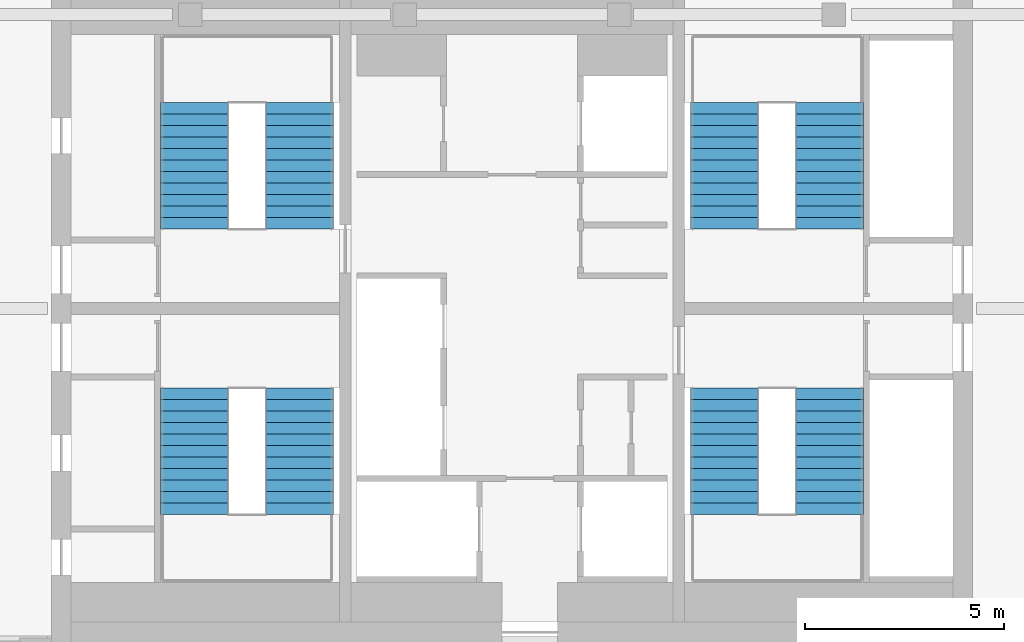
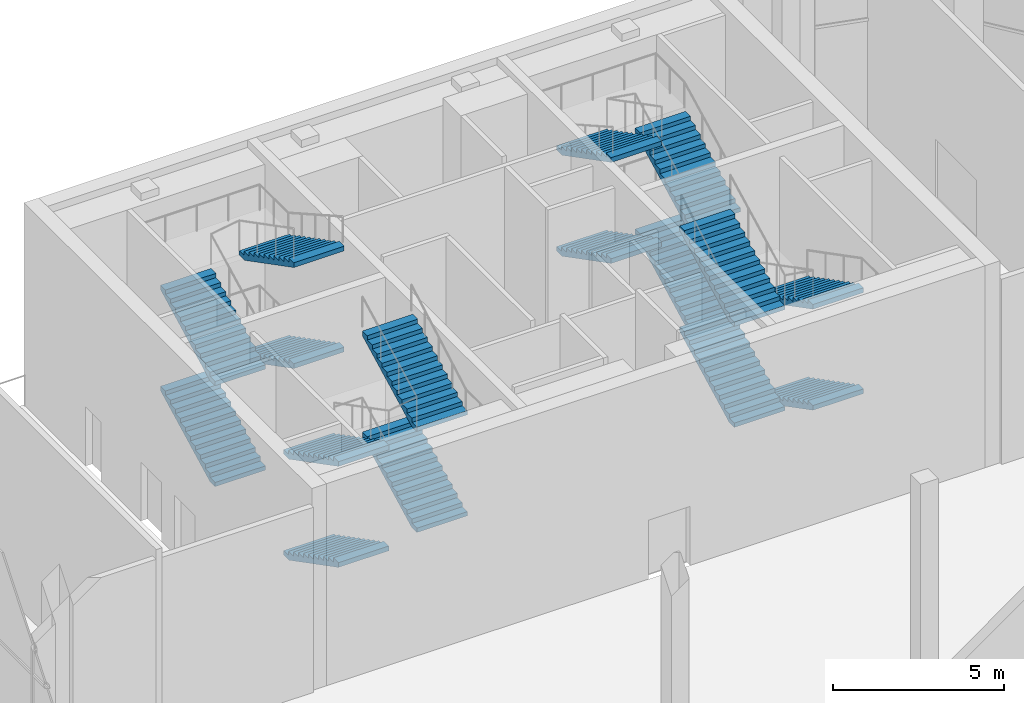
# One storey, part 23 of 25: 16 stair flights, 4 elements without a shape of their own.
"""IFC4 building model written with IfcOpenShell, lengths in metres."""

import ifcopenshell
import ifcopenshell.guid

model = None  # the IFC model being written
_history = None  # IfcOwnerHistory: only IFC2X3 demands one
_inside = {}  # id of a spatial element -> (the spatial element, [elements in it])
_under = {}  # id of a project, library or spatial element -> (it, [spatial elements below it])
_declared = {}  # id of a project -> (the project, [libraries it declares])
_typed = {}  # id of a type object -> (the type object, [elements of that type])
_made_of = {}  # id of a material, layer set ... -> (it, [elements and type objects made of it])


def new_model(schema):
    """Start an empty IFC model of exactly this schema.

    Asked for "IFC4X3", IfcOpenShell would pick the latest addendum, in which some entities
    have other attributes; the version numbers below select the first issue.
    IFC2X3 requires an IfcOwnerHistory on every rooted entity: one is made here for all.
    """
    global model, _history
    if schema == "IFC4X3":
        model = ifcopenshell.file(schema_version=(4, 3, 0, 0))
    else:
        model = ifcopenshell.file(schema=schema)
    _inside.clear()
    _under.clear()
    _declared.clear()
    _typed.clear()
    _made_of.clear()
    _history = None
    if model.schema == "IFC2X3":
        org = make("IfcOrganization", Name="unknown")
        user = make(
            "IfcPersonAndOrganization",
            ThePerson=make("IfcPerson", FamilyName="unknown"),
            TheOrganization=org,
        )
        app = make(
            "IfcApplication",
            ApplicationDeveloper=org,
            Version="unknown",
            ApplicationFullName="unknown",
            ApplicationIdentifier="unknown",
        )
        _history = make(
            "IfcOwnerHistory",
            OwningUser=user,
            OwningApplication=app,
            ChangeAction="ADDED",
            CreationDate=0,
        )
    return model


def make(cls, **values):
    """One entity of the class cls with the attributes given. An attribute that is None is left unset."""
    return model.create_entity(
        cls, **{name: value for name, value in values.items() if value is not None}
    )


def rooted(cls, **values):
    """An entity with a GlobalId (a new one), such as an element, a storey or a relation."""
    return make(cls, GlobalId=ifcopenshell.guid.new(), OwnerHistory=_history, **values)


def si_unit(unit_type, name, prefix=None):
    """IfcSIUnit, for example si_unit("LENGTHUNIT", "METRE", prefix="MILLI")."""
    return make("IfcSIUnit", UnitType=unit_type, Prefix=prefix, Name=name)


def assignment(units):
    """IfcUnitAssignment: the units of a project."""
    return None if units is None else make("IfcUnitAssignment", Units=units)


def point(xyz):
    """IfcCartesianPoint."""
    return None if xyz is None else make("IfcCartesianPoint", Coordinates=xyz)


def direction(xyz):
    """IfcDirection."""
    return None if xyz is None else make("IfcDirection", DirectionRatios=xyz)


def frame(location, z_axis=None, x_axis=None):
    """IfcAxis2Placement3D, a coordinate frame: its origin and axes. An axis left out is left unset."""
    return make(
        "IfcAxis2Placement3D",
        Location=point(location),
        Axis=direction(z_axis),
        RefDirection=direction(x_axis),
    )


def origin():
    """The frame at (0, 0, 0) with its axes left unset."""
    return frame((0.0, 0.0, 0.0))


def place(relative_to, where):
    """IfcLocalPlacement: puts the frame where relative to a parent placement (None: the world)."""
    return make(
        "IfcLocalPlacement", PlacementRelTo=relative_to, RelativePlacement=where
    )


def context(
    kind, dimensions, precision=None, world=None, true_north=None, identifier=None
):
    """IfcGeometricRepresentationContext, for example the 3D "Model" context."""
    return make(
        "IfcGeometricRepresentationContext",
        ContextIdentifier=identifier,
        ContextType=kind,
        CoordinateSpaceDimension=dimensions,
        Precision=precision,
        WorldCoordinateSystem=world,
        TrueNorth=true_north,
    )


def subcontext(parent, identifier, kind, view, scale=None):
    """IfcGeometricRepresentationSubContext, for example "Body" below "Model"."""
    return make(
        "IfcGeometricRepresentationSubContext",
        ContextIdentifier=identifier,
        ContextType=kind,
        ParentContext=parent,
        TargetScale=scale,
        TargetView=view,
    )


def project(units=None, contexts=None):
    """IfcProject with its units and contexts."""
    return rooted(
        "IfcProject",
        Name="project",
        RepresentationContexts=contexts,
        UnitsInContext=assignment(units),
    )


def spatial(cls, under=None, at=None, **own):
    """A site, building, storey or space (cls), placed at a placement, below another one or the project."""
    s = rooted(cls, ObjectPlacement=at, **own)
    if under is not None:
        _under.setdefault(under.id(), (under, []))[1].append(s)
    return s


def polyline(points):
    """IfcPolyline through the points."""
    return make("IfcPolyline", Points=[point(p) for p in points])


def outline(outer, holes=None, kind="AREA"):
    """IfcArbitraryClosedProfileDef: a profile drawn as a closed curve; with holes, ...WithVoids."""
    if holes is None:
        return make("IfcArbitraryClosedProfileDef", ProfileType=kind, OuterCurve=outer)
    return make(
        "IfcArbitraryProfileDefWithVoids",
        ProfileType=kind,
        OuterCurve=outer,
        InnerCurves=holes,
    )


def extrude(swept, where, along, depth):
    """IfcExtrudedAreaSolid: the profile swept, set in the frame where, extruded along a direction by depth."""
    return make(
        "IfcExtrudedAreaSolid",
        SweptArea=swept,
        Position=where,
        ExtrudedDirection=direction(along),
        Depth=depth,
    )


def shape(context_of_items, identifier, shape_type, items):
    """IfcShapeRepresentation: the items that make up one representation, for example the "Body"."""
    return make(
        "IfcShapeRepresentation",
        ContextOfItems=context_of_items,
        RepresentationIdentifier=identifier,
        RepresentationType=shape_type,
        Items=items,
    )


def material(Name=None, Category=None):
    """IfcMaterial."""
    return make("IfcMaterial", Name=Name, Category=Category)


def made_of(thing, what):
    """Note that an element or type object is made of a material, layer set ...; save() writes the relation."""
    if what is not None:
        _made_of.setdefault(what.id(), (what, []))[1].append(thing)
    return thing


def type_object(cls, material=None, **own):
    """A type object (cls), such as IfcWallType, which elements share."""
    return made_of(rooted(cls, **own), material)


def element(
    cls,
    number,
    at=None,
    inside=None,
    cuts=None,
    type_object=None,
    material=None,
    context=None,
    identifier="Body",
    shape_type=None,
    held_by="IfcProductDefinitionShape",
    body=None,
    shapes=None,
    **own,
):
    """One element of the class cls, such as IfcWall. Its Tag is "e" and its number.

    at: its placement. inside: the storey or other place that contains it. cuts: it is an
    opening in that element (IfcRelVoidsElement). A single representation is given by context,
    identifier, shape_type and body (its items); several are given by shapes. held_by: the class
    of the entity that holds the representations. save() writes the other relations.
    """
    e = rooted(cls, Tag="e%d" % number, ObjectPlacement=at, **own)
    if body is not None:
        shapes = [shape(context, identifier, shape_type, body)]
    if shapes is not None:
        e.Representation = make(held_by, Representations=shapes)
    if inside is not None:
        _inside.setdefault(inside.id(), (inside, []))[1].append(e)
    if cuts is not None:
        rooted(
            "IfcRelVoidsElement", RelatingBuildingElement=cuts, RelatedOpeningElement=e
        )
    if type_object is not None:
        _typed.setdefault(type_object.id(), (type_object, []))[1].append(e)
    return made_of(e, material)


def aggregate(whole, parts):
    """IfcRelAggregates: a whole, such as a stair, and the parts it consists of."""
    return rooted("IfcRelAggregates", RelatingObject=whole, RelatedObjects=parts)


def save(model, path):
    """Write the relations noted so far, then the file.

    IfcRelAggregates (storeys below a building ...), IfcRelContainedInSpatialStructure (elements
    in a storey), IfcRelDefinesByType, IfcRelAssociatesMaterial and IfcRelDeclares: one each for
    every whole, place, type object, material and project.
    """
    for whole, parts in _under.values():
        aggregate(whole, parts)
    for where, things in _inside.values():
        rooted(
            "IfcRelContainedInSpatialStructure",
            RelatedElements=things,
            RelatingStructure=where,
        )
    for kind, things in _typed.values():
        rooted("IfcRelDefinesByType", RelatedObjects=things, RelatingType=kind)
    for what, things in _made_of.values():
        rooted("IfcRelAssociatesMaterial", RelatedObjects=things, RelatingMaterial=what)
    for by, libraries in _declared.values():
        rooted("IfcRelDeclares", RelatingContext=by, RelatedDefinitions=libraries)
    model.write(path)


model = new_model("IFC4")

# Units and contexts
model_context = context("Model", 3, precision=1e-05, world=origin(), true_north=direction((0.0, 1.0)))
body_context = subcontext(model_context, "Body", "Model", "MODEL_VIEW")
ifc_project = project(units=[si_unit("LENGTHUNIT", "METRE"), si_unit("AREAUNIT", "SQUARE_METRE"), si_unit("VOLUMEUNIT", "CUBIC_METRE"), si_unit("PLANEANGLEUNIT", "RADIAN"), si_unit("MASSUNIT", "GRAM", prefix="KILO")], contexts=[model_context])

# Site, building, storey
site_placement = place(None, origin())
site = spatial("IfcSite", under=ifc_project, at=site_placement, CompositionType="ELEMENT")
building_placement = place(site_placement, origin())
building = spatial("IfcBuilding", under=site, at=building_placement, Name="Marenta Gate Hotel Tower", CompositionType="ELEMENT")
storey_placement = place(building_placement, frame((0.0, 0.0, 281.300048828125)))
storey = spatial("IfcBuildingStorey", under=building, at=storey_placement, Name="L65", CompositionType="ELEMENT", Elevation=281.300048828125)

# Stair, stair flights
ifc_material_1 = material(Name="Concrete C40", Category="concrete")
stair_type = type_object("IfcStairType", Name="Core exit stair 1700 wide", PredefinedType="HALF_TURN_STAIR", material=ifc_material_1)
stair_1_placement = place(storey_placement, origin())
stair_1 = element("IfcStair", 1, at=stair_1_placement, inside=storey, type_object=stair_type, Name="Exit stair 1", PredefinedType="HALF_TURN_STAIR")
ifc_material_2 = material(Name="Concrete C40", Category="concrete")
stair_flight_type = type_object("IfcStairFlightType", Name="Core stair flight 1700 riser 150.0 going 290", PredefinedType="STRAIGHT", material=ifc_material_2)
stair_flight_1_placement = place(storey_placement, frame((-8.0, 6.39990234375, 0.0), z_axis=(0.0, 0.0, 1.0), x_axis=(0.0, -1.0, 0.0)))
stair_flight_1 = element("IfcStairFlight", 2, at=stair_flight_1_placement, type_object=stair_flight_type, Name="ST1 flight 1", NumberOfRisers=12, NumberOfTreads=11, PredefinedType="STRAIGHT", RiserHeight=0.15, TreadLength=0.29, context=body_context, shape_type="SweptSolid", body=[
    extrude(outline(polyline([(0.0, 0.0), (0.0, 0.14990234375), (0.2900390625, 0.14990234375), (0.2900390625, 0.300048828125), (0.580078125, 0.300048828125), (0.580078125, 0.449951171875), (0.8701171875, 0.449951171875), (0.8701171875, 0.60009765625), (1.159912109375, 0.60009765625), (1.159912109375, 0.75), (1.449951171875, 0.75), (1.449951171875, 0.89990234375), (1.739990234375, 0.89990234375), (1.739990234375, 1.050048828125), (2.030029296875, 1.050048828125), (2.030029296875, 1.199951171875), (2.320068359375, 1.199951171875), (2.320068359375, 1.35009765625), (2.610107421875, 1.35009765625), (2.610107421875, 1.5), (2.89990234375, 1.5), (2.89990234375, 1.64990234375), (3.18994140625, 1.64990234375), (3.18994140625, 1.800048828125), (3.18994140625, 1.481201171875), (0.326171875, 0.0), (0.0, 0.0)])), frame((0.0, 0.85009765625, 0.0), z_axis=(0.0, -1.0, 0.0), x_axis=(1.0, 0.0, 0.0)), (0.0, 0.0, 1.0), 1.699951171875),
])
stair_flight_2_placement = place(storey_placement, frame((-5.35009765625, 3.2099609375, 1.800048828125), z_axis=(0.0, 0.0, 1.0), x_axis=(0.0, 1.0, 0.0)))
stair_flight_2 = element("IfcStairFlight", 3, at=stair_flight_2_placement, type_object=stair_flight_type, Name="ST1 flight 2", NumberOfRisers=12, NumberOfTreads=11, PredefinedType="STRAIGHT", RiserHeight=0.15, TreadLength=0.29, context=body_context, shape_type="SweptSolid", body=[
    extrude(outline(polyline([(0.0, 0.0), (0.0, 0.14990234375), (0.2900390625, 0.14990234375), (0.2900390625, 0.300048828125), (0.580078125, 0.300048828125), (0.580078125, 0.449951171875), (0.8701171875, 0.449951171875), (0.8701171875, 0.60009765625), (1.159912109375, 0.60009765625), (1.159912109375, 0.75), (1.449951171875, 0.75), (1.449951171875, 0.89990234375), (1.739990234375, 0.89990234375), (1.739990234375, 1.050048828125), (2.030029296875, 1.050048828125), (2.030029296875, 1.199951171875), (2.320068359375, 1.199951171875), (2.320068359375, 1.35009765625), (2.610107421875, 1.35009765625), (2.610107421875, 1.5), (2.89990234375, 1.5), (2.89990234375, 1.64990234375), (3.18994140625, 1.64990234375), (3.18994140625, 1.800048828125), (3.18994140625, 1.481201171875), (0.326171875, 0.0), (0.0, 0.0)])), frame((0.0, 0.85009765625, 0.0), z_axis=(0.0, -1.0, 0.0), x_axis=(1.0, 0.0, 0.0)), (0.0, 0.0, 1.0), 1.699951171875),
])
stair_flight_3_placement = place(storey_placement, frame((-8.0, 6.39990234375, 3.599853515625), z_axis=(0.0, 0.0, 1.0), x_axis=(0.0, -1.0, 0.0)))
stair_flight_3 = element("IfcStairFlight", 4, at=stair_flight_3_placement, type_object=stair_flight_type, Name="ST1 flight 3", NumberOfRisers=12, NumberOfTreads=11, PredefinedType="STRAIGHT", RiserHeight=0.15, TreadLength=0.29, context=body_context, shape_type="SweptSolid", body=[
    extrude(outline(polyline([(0.0, 0.0), (0.0, 0.14990234375), (0.2900390625, 0.14990234375), (0.2900390625, 0.300048828125), (0.580078125, 0.300048828125), (0.580078125, 0.449951171875), (0.8701171875, 0.449951171875), (0.8701171875, 0.60009765625), (1.159912109375, 0.60009765625), (1.159912109375, 0.75), (1.449951171875, 0.75), (1.449951171875, 0.89990234375), (1.739990234375, 0.89990234375), (1.739990234375, 1.050048828125), (2.030029296875, 1.050048828125), (2.030029296875, 1.199951171875), (2.320068359375, 1.199951171875), (2.320068359375, 1.35009765625), (2.610107421875, 1.35009765625), (2.610107421875, 1.5), (2.89990234375, 1.5), (2.89990234375, 1.64990234375), (3.18994140625, 1.64990234375), (3.18994140625, 1.800048828125), (3.18994140625, 1.481201171875), (0.326171875, 0.0), (0.0, 0.0)])), frame((0.0, 0.85009765625, 0.0), z_axis=(0.0, -1.0, 0.0), x_axis=(1.0, 0.0, 0.0)), (0.0, 0.0, 1.0), 1.699951171875),
])
stair_flight_4_placement = place(storey_placement, frame((-5.35009765625, 3.2099609375, 5.39990234375), z_axis=(0.0, 0.0, 1.0), x_axis=(0.0, 1.0, 0.0)))
stair_flight_4 = element("IfcStairFlight", 5, at=stair_flight_4_placement, type_object=stair_flight_type, Name="ST1 flight 4", NumberOfRisers=12, NumberOfTreads=11, PredefinedType="STRAIGHT", RiserHeight=0.15, TreadLength=0.29, context=body_context, shape_type="SweptSolid", body=[
    extrude(outline(polyline([(0.0, 0.0), (0.0, 0.14990234375), (0.2900390625, 0.14990234375), (0.2900390625, 0.300048828125), (0.580078125, 0.300048828125), (0.580078125, 0.449951171875), (0.8701171875, 0.449951171875), (0.8701171875, 0.60009765625), (1.159912109375, 0.60009765625), (1.159912109375, 0.75), (1.449951171875, 0.75), (1.449951171875, 0.89990234375), (1.739990234375, 0.89990234375), (1.739990234375, 1.050048828125), (2.030029296875, 1.050048828125), (2.030029296875, 1.199951171875), (2.320068359375, 1.199951171875), (2.320068359375, 1.35009765625), (2.610107421875, 1.35009765625), (2.610107421875, 1.5), (2.89990234375, 1.5), (2.89990234375, 1.64990234375), (3.18994140625, 1.64990234375), (3.18994140625, 1.800048828125), (3.18994140625, 1.481201171875), (0.326171875, 0.0), (0.0, 0.0)])), frame((0.0, 0.85009765625, 0.0), z_axis=(0.0, -1.0, 0.0), x_axis=(1.0, 0.0, 0.0)), (0.0, 0.0, 1.0), 1.699951171875),
])
aggregate(stair_1, [stair_flight_1, stair_flight_2, stair_flight_3, stair_flight_4])

stair_2_placement = place(storey_placement, origin())
stair_2 = element("IfcStair", 6, at=stair_2_placement, inside=storey, type_object=stair_type, Name="Exit stair 2", PredefinedType="HALF_TURN_STAIR")
stair_flight_5_placement = place(storey_placement, frame((-8.0, 10.39990234375, 0.0), z_axis=(0.0, 0.0, 1.0), x_axis=(0.0, 1.0, 0.0)))
stair_flight_5 = element("IfcStairFlight", 7, at=stair_flight_5_placement, type_object=stair_flight_type, Name="ST2 flight 1", NumberOfRisers=12, NumberOfTreads=11, PredefinedType="STRAIGHT", RiserHeight=0.15, TreadLength=0.29, context=body_context, shape_type="SweptSolid", body=[
    extrude(outline(polyline([(0.0, 0.0), (0.0, 0.14990234375), (0.2900390625, 0.14990234375), (0.2900390625, 0.300048828125), (0.580078125, 0.300048828125), (0.580078125, 0.449951171875), (0.8701171875, 0.449951171875), (0.8701171875, 0.60009765625), (1.159912109375, 0.60009765625), (1.159912109375, 0.75), (1.449951171875, 0.75), (1.449951171875, 0.89990234375), (1.739990234375, 0.89990234375), (1.739990234375, 1.050048828125), (2.030029296875, 1.050048828125), (2.030029296875, 1.199951171875), (2.320068359375, 1.199951171875), (2.320068359375, 1.35009765625), (2.610107421875, 1.35009765625), (2.610107421875, 1.5), (2.89990234375, 1.5), (2.89990234375, 1.64990234375), (3.18994140625, 1.64990234375), (3.18994140625, 1.800048828125), (3.18994140625, 1.481201171875), (0.326171875, 0.0), (0.0, 0.0)])), frame((0.0, 0.85009765625, 0.0), z_axis=(0.0, -1.0, 0.0), x_axis=(1.0, 0.0, 0.0)), (0.0, 0.0, 1.0), 1.699951171875),
])
stair_flight_6_placement = place(storey_placement, frame((-5.35009765625, 13.590087890625, 1.800048828125), z_axis=(0.0, 0.0, 1.0), x_axis=(0.0, -1.0, 0.0)))
stair_flight_6 = element("IfcStairFlight", 8, at=stair_flight_6_placement, type_object=stair_flight_type, Name="ST2 flight 2", NumberOfRisers=12, NumberOfTreads=11, PredefinedType="STRAIGHT", RiserHeight=0.15, TreadLength=0.29, context=body_context, shape_type="SweptSolid", body=[
    extrude(outline(polyline([(0.0, 0.0), (0.0, 0.14990234375), (0.2900390625, 0.14990234375), (0.2900390625, 0.300048828125), (0.580078125, 0.300048828125), (0.580078125, 0.449951171875), (0.8701171875, 0.449951171875), (0.8701171875, 0.60009765625), (1.159912109375, 0.60009765625), (1.159912109375, 0.75), (1.449951171875, 0.75), (1.449951171875, 0.89990234375), (1.739990234375, 0.89990234375), (1.739990234375, 1.050048828125), (2.030029296875, 1.050048828125), (2.030029296875, 1.199951171875), (2.320068359375, 1.199951171875), (2.320068359375, 1.35009765625), (2.610107421875, 1.35009765625), (2.610107421875, 1.5), (2.89990234375, 1.5), (2.89990234375, 1.64990234375), (3.18994140625, 1.64990234375), (3.18994140625, 1.800048828125), (3.18994140625, 1.481201171875), (0.326171875, 0.0), (0.0, 0.0)])), frame((0.0, 0.85009765625, 0.0), z_axis=(0.0, -1.0, 0.0), x_axis=(1.0, 0.0, 0.0)), (0.0, 0.0, 1.0), 1.699951171875),
])
stair_flight_7_placement = place(storey_placement, frame((-8.0, 10.39990234375, 3.599853515625), z_axis=(0.0, 0.0, 1.0), x_axis=(0.0, 1.0, 0.0)))
stair_flight_7 = element("IfcStairFlight", 9, at=stair_flight_7_placement, type_object=stair_flight_type, Name="ST2 flight 3", NumberOfRisers=12, NumberOfTreads=11, PredefinedType="STRAIGHT", RiserHeight=0.15, TreadLength=0.29, context=body_context, shape_type="SweptSolid", body=[
    extrude(outline(polyline([(0.0, 0.0), (0.0, 0.14990234375), (0.2900390625, 0.14990234375), (0.2900390625, 0.300048828125), (0.580078125, 0.300048828125), (0.580078125, 0.449951171875), (0.8701171875, 0.449951171875), (0.8701171875, 0.60009765625), (1.159912109375, 0.60009765625), (1.159912109375, 0.75), (1.449951171875, 0.75), (1.449951171875, 0.89990234375), (1.739990234375, 0.89990234375), (1.739990234375, 1.050048828125), (2.030029296875, 1.050048828125), (2.030029296875, 1.199951171875), (2.320068359375, 1.199951171875), (2.320068359375, 1.35009765625), (2.610107421875, 1.35009765625), (2.610107421875, 1.5), (2.89990234375, 1.5), (2.89990234375, 1.64990234375), (3.18994140625, 1.64990234375), (3.18994140625, 1.800048828125), (3.18994140625, 1.481201171875), (0.326171875, 0.0), (0.0, 0.0)])), frame((0.0, 0.85009765625, 0.0), z_axis=(0.0, -1.0, 0.0), x_axis=(1.0, 0.0, 0.0)), (0.0, 0.0, 1.0), 1.699951171875),
])
stair_flight_8_placement = place(storey_placement, frame((-5.35009765625, 13.590087890625, 5.39990234375), z_axis=(0.0, 0.0, 1.0), x_axis=(0.0, -1.0, 0.0)))
stair_flight_8 = element("IfcStairFlight", 10, at=stair_flight_8_placement, type_object=stair_flight_type, Name="ST2 flight 4", NumberOfRisers=12, NumberOfTreads=11, PredefinedType="STRAIGHT", RiserHeight=0.15, TreadLength=0.29, context=body_context, shape_type="SweptSolid", body=[
    extrude(outline(polyline([(0.0, 0.0), (0.0, 0.14990234375), (0.2900390625, 0.14990234375), (0.2900390625, 0.300048828125), (0.580078125, 0.300048828125), (0.580078125, 0.449951171875), (0.8701171875, 0.449951171875), (0.8701171875, 0.60009765625), (1.159912109375, 0.60009765625), (1.159912109375, 0.75), (1.449951171875, 0.75), (1.449951171875, 0.89990234375), (1.739990234375, 0.89990234375), (1.739990234375, 1.050048828125), (2.030029296875, 1.050048828125), (2.030029296875, 1.199951171875), (2.320068359375, 1.199951171875), (2.320068359375, 1.35009765625), (2.610107421875, 1.35009765625), (2.610107421875, 1.5), (2.89990234375, 1.5), (2.89990234375, 1.64990234375), (3.18994140625, 1.64990234375), (3.18994140625, 1.800048828125), (3.18994140625, 1.481201171875), (0.326171875, 0.0), (0.0, 0.0)])), frame((0.0, 0.85009765625, 0.0), z_axis=(0.0, -1.0, 0.0), x_axis=(1.0, 0.0, 0.0)), (0.0, 0.0, 1.0), 1.699951171875),
])
aggregate(stair_2, [stair_flight_5, stair_flight_6, stair_flight_7, stair_flight_8])

stair_3_placement = place(storey_placement, origin())
stair_3 = element("IfcStair", 11, at=stair_3_placement, inside=storey, type_object=stair_type, Name="Exit stair 3", PredefinedType="HALF_TURN_STAIR")
stair_flight_9_placement = place(storey_placement, frame((8.0, 6.39990234375, 0.0), z_axis=(0.0, 0.0, 1.0), x_axis=(0.0, -1.0, 0.0)))
stair_flight_9 = element("IfcStairFlight", 12, at=stair_flight_9_placement, type_object=stair_flight_type, Name="ST3 flight 1", NumberOfRisers=12, NumberOfTreads=11, PredefinedType="STRAIGHT", RiserHeight=0.15, TreadLength=0.29, context=body_context, shape_type="SweptSolid", body=[
    extrude(outline(polyline([(0.0, 0.0), (0.0, 0.14990234375), (0.2900390625, 0.14990234375), (0.2900390625, 0.300048828125), (0.580078125, 0.300048828125), (0.580078125, 0.449951171875), (0.8701171875, 0.449951171875), (0.8701171875, 0.60009765625), (1.159912109375, 0.60009765625), (1.159912109375, 0.75), (1.449951171875, 0.75), (1.449951171875, 0.89990234375), (1.739990234375, 0.89990234375), (1.739990234375, 1.050048828125), (2.030029296875, 1.050048828125), (2.030029296875, 1.199951171875), (2.320068359375, 1.199951171875), (2.320068359375, 1.35009765625), (2.610107421875, 1.35009765625), (2.610107421875, 1.5), (2.89990234375, 1.5), (2.89990234375, 1.64990234375), (3.18994140625, 1.64990234375), (3.18994140625, 1.800048828125), (3.18994140625, 1.481201171875), (0.326171875, 0.0), (0.0, 0.0)])), frame((0.0, 0.85009765625, 0.0), z_axis=(0.0, -1.0, 0.0), x_axis=(1.0, 0.0, 0.0)), (0.0, 0.0, 1.0), 1.699951171875),
])
stair_flight_10_placement = place(storey_placement, frame((5.35009765625, 3.2099609375, 1.800048828125), z_axis=(0.0, 0.0, 1.0), x_axis=(0.0, 1.0, 0.0)))
stair_flight_10 = element("IfcStairFlight", 13, at=stair_flight_10_placement, type_object=stair_flight_type, Name="ST3 flight 2", NumberOfRisers=12, NumberOfTreads=11, PredefinedType="STRAIGHT", RiserHeight=0.15, TreadLength=0.29, context=body_context, shape_type="SweptSolid", body=[
    extrude(outline(polyline([(0.0, 0.0), (0.0, 0.14990234375), (0.2900390625, 0.14990234375), (0.2900390625, 0.300048828125), (0.580078125, 0.300048828125), (0.580078125, 0.449951171875), (0.8701171875, 0.449951171875), (0.8701171875, 0.60009765625), (1.159912109375, 0.60009765625), (1.159912109375, 0.75), (1.449951171875, 0.75), (1.449951171875, 0.89990234375), (1.739990234375, 0.89990234375), (1.739990234375, 1.050048828125), (2.030029296875, 1.050048828125), (2.030029296875, 1.199951171875), (2.320068359375, 1.199951171875), (2.320068359375, 1.35009765625), (2.610107421875, 1.35009765625), (2.610107421875, 1.5), (2.89990234375, 1.5), (2.89990234375, 1.64990234375), (3.18994140625, 1.64990234375), (3.18994140625, 1.800048828125), (3.18994140625, 1.481201171875), (0.326171875, 0.0), (0.0, 0.0)])), frame((0.0, 0.85009765625, 0.0), z_axis=(0.0, -1.0, 0.0), x_axis=(1.0, 0.0, 0.0)), (0.0, 0.0, 1.0), 1.699951171875),
])
stair_flight_11_placement = place(storey_placement, frame((8.0, 6.39990234375, 3.599853515625), z_axis=(0.0, 0.0, 1.0), x_axis=(0.0, -1.0, 0.0)))
stair_flight_11 = element("IfcStairFlight", 14, at=stair_flight_11_placement, type_object=stair_flight_type, Name="ST3 flight 3", NumberOfRisers=12, NumberOfTreads=11, PredefinedType="STRAIGHT", RiserHeight=0.15, TreadLength=0.29, context=body_context, shape_type="SweptSolid", body=[
    extrude(outline(polyline([(0.0, 0.0), (0.0, 0.14990234375), (0.2900390625, 0.14990234375), (0.2900390625, 0.300048828125), (0.580078125, 0.300048828125), (0.580078125, 0.449951171875), (0.8701171875, 0.449951171875), (0.8701171875, 0.60009765625), (1.159912109375, 0.60009765625), (1.159912109375, 0.75), (1.449951171875, 0.75), (1.449951171875, 0.89990234375), (1.739990234375, 0.89990234375), (1.739990234375, 1.050048828125), (2.030029296875, 1.050048828125), (2.030029296875, 1.199951171875), (2.320068359375, 1.199951171875), (2.320068359375, 1.35009765625), (2.610107421875, 1.35009765625), (2.610107421875, 1.5), (2.89990234375, 1.5), (2.89990234375, 1.64990234375), (3.18994140625, 1.64990234375), (3.18994140625, 1.800048828125), (3.18994140625, 1.481201171875), (0.326171875, 0.0), (0.0, 0.0)])), frame((0.0, 0.85009765625, 0.0), z_axis=(0.0, -1.0, 0.0), x_axis=(1.0, 0.0, 0.0)), (0.0, 0.0, 1.0), 1.699951171875),
])
stair_flight_12_placement = place(storey_placement, frame((5.35009765625, 3.2099609375, 5.39990234375), z_axis=(0.0, 0.0, 1.0), x_axis=(0.0, 1.0, 0.0)))
stair_flight_12 = element("IfcStairFlight", 15, at=stair_flight_12_placement, type_object=stair_flight_type, Name="ST3 flight 4", NumberOfRisers=12, NumberOfTreads=11, PredefinedType="STRAIGHT", RiserHeight=0.15, TreadLength=0.29, context=body_context, shape_type="SweptSolid", body=[
    extrude(outline(polyline([(0.0, 0.0), (0.0, 0.14990234375), (0.2900390625, 0.14990234375), (0.2900390625, 0.300048828125), (0.580078125, 0.300048828125), (0.580078125, 0.449951171875), (0.8701171875, 0.449951171875), (0.8701171875, 0.60009765625), (1.159912109375, 0.60009765625), (1.159912109375, 0.75), (1.449951171875, 0.75), (1.449951171875, 0.89990234375), (1.739990234375, 0.89990234375), (1.739990234375, 1.050048828125), (2.030029296875, 1.050048828125), (2.030029296875, 1.199951171875), (2.320068359375, 1.199951171875), (2.320068359375, 1.35009765625), (2.610107421875, 1.35009765625), (2.610107421875, 1.5), (2.89990234375, 1.5), (2.89990234375, 1.64990234375), (3.18994140625, 1.64990234375), (3.18994140625, 1.800048828125), (3.18994140625, 1.481201171875), (0.326171875, 0.0), (0.0, 0.0)])), frame((0.0, 0.85009765625, 0.0), z_axis=(0.0, -1.0, 0.0), x_axis=(1.0, 0.0, 0.0)), (0.0, 0.0, 1.0), 1.699951171875),
])
aggregate(stair_3, [stair_flight_9, stair_flight_10, stair_flight_11, stair_flight_12])

stair_4_placement = place(storey_placement, origin())
stair_4 = element("IfcStair", 16, at=stair_4_placement, inside=storey, type_object=stair_type, Name="Exit stair 4", PredefinedType="HALF_TURN_STAIR")
stair_flight_13_placement = place(storey_placement, frame((8.0, 10.39990234375, 0.0), z_axis=(0.0, 0.0, 1.0), x_axis=(0.0, 1.0, 0.0)))
stair_flight_13 = element("IfcStairFlight", 17, at=stair_flight_13_placement, type_object=stair_flight_type, Name="ST4 flight 1", NumberOfRisers=12, NumberOfTreads=11, PredefinedType="STRAIGHT", RiserHeight=0.15, TreadLength=0.29, context=body_context, shape_type="SweptSolid", body=[
    extrude(outline(polyline([(0.0, 0.0), (0.0, 0.14990234375), (0.2900390625, 0.14990234375), (0.2900390625, 0.300048828125), (0.580078125, 0.300048828125), (0.580078125, 0.449951171875), (0.8701171875, 0.449951171875), (0.8701171875, 0.60009765625), (1.159912109375, 0.60009765625), (1.159912109375, 0.75), (1.449951171875, 0.75), (1.449951171875, 0.89990234375), (1.739990234375, 0.89990234375), (1.739990234375, 1.050048828125), (2.030029296875, 1.050048828125), (2.030029296875, 1.199951171875), (2.320068359375, 1.199951171875), (2.320068359375, 1.35009765625), (2.610107421875, 1.35009765625), (2.610107421875, 1.5), (2.89990234375, 1.5), (2.89990234375, 1.64990234375), (3.18994140625, 1.64990234375), (3.18994140625, 1.800048828125), (3.18994140625, 1.481201171875), (0.326171875, 0.0), (0.0, 0.0)])), frame((0.0, 0.85009765625, 0.0), z_axis=(0.0, -1.0, 0.0), x_axis=(1.0, 0.0, 0.0)), (0.0, 0.0, 1.0), 1.699951171875),
])
stair_flight_14_placement = place(storey_placement, frame((5.35009765625, 13.590087890625, 1.800048828125), z_axis=(0.0, 0.0, 1.0), x_axis=(0.0, -1.0, 0.0)))
stair_flight_14 = element("IfcStairFlight", 18, at=stair_flight_14_placement, type_object=stair_flight_type, Name="ST4 flight 2", NumberOfRisers=12, NumberOfTreads=11, PredefinedType="STRAIGHT", RiserHeight=0.15, TreadLength=0.29, context=body_context, shape_type="SweptSolid", body=[
    extrude(outline(polyline([(0.0, 0.0), (0.0, 0.14990234375), (0.2900390625, 0.14990234375), (0.2900390625, 0.300048828125), (0.580078125, 0.300048828125), (0.580078125, 0.449951171875), (0.8701171875, 0.449951171875), (0.8701171875, 0.60009765625), (1.159912109375, 0.60009765625), (1.159912109375, 0.75), (1.449951171875, 0.75), (1.449951171875, 0.89990234375), (1.739990234375, 0.89990234375), (1.739990234375, 1.050048828125), (2.030029296875, 1.050048828125), (2.030029296875, 1.199951171875), (2.320068359375, 1.199951171875), (2.320068359375, 1.35009765625), (2.610107421875, 1.35009765625), (2.610107421875, 1.5), (2.89990234375, 1.5), (2.89990234375, 1.64990234375), (3.18994140625, 1.64990234375), (3.18994140625, 1.800048828125), (3.18994140625, 1.481201171875), (0.326171875, 0.0), (0.0, 0.0)])), frame((0.0, 0.85009765625, 0.0), z_axis=(0.0, -1.0, 0.0), x_axis=(1.0, 0.0, 0.0)), (0.0, 0.0, 1.0), 1.699951171875),
])
stair_flight_15_placement = place(storey_placement, frame((8.0, 10.39990234375, 3.599853515625), z_axis=(0.0, 0.0, 1.0), x_axis=(0.0, 1.0, 0.0)))
stair_flight_15 = element("IfcStairFlight", 19, at=stair_flight_15_placement, type_object=stair_flight_type, Name="ST4 flight 3", NumberOfRisers=12, NumberOfTreads=11, PredefinedType="STRAIGHT", RiserHeight=0.15, TreadLength=0.29, context=body_context, shape_type="SweptSolid", body=[
    extrude(outline(polyline([(0.0, 0.0), (0.0, 0.14990234375), (0.2900390625, 0.14990234375), (0.2900390625, 0.300048828125), (0.580078125, 0.300048828125), (0.580078125, 0.449951171875), (0.8701171875, 0.449951171875), (0.8701171875, 0.60009765625), (1.159912109375, 0.60009765625), (1.159912109375, 0.75), (1.449951171875, 0.75), (1.449951171875, 0.89990234375), (1.739990234375, 0.89990234375), (1.739990234375, 1.050048828125), (2.030029296875, 1.050048828125), (2.030029296875, 1.199951171875), (2.320068359375, 1.199951171875), (2.320068359375, 1.35009765625), (2.610107421875, 1.35009765625), (2.610107421875, 1.5), (2.89990234375, 1.5), (2.89990234375, 1.64990234375), (3.18994140625, 1.64990234375), (3.18994140625, 1.800048828125), (3.18994140625, 1.481201171875), (0.326171875, 0.0), (0.0, 0.0)])), frame((0.0, 0.85009765625, 0.0), z_axis=(0.0, -1.0, 0.0), x_axis=(1.0, 0.0, 0.0)), (0.0, 0.0, 1.0), 1.699951171875),
])
stair_flight_16_placement = place(storey_placement, frame((5.35009765625, 13.590087890625, 5.39990234375), z_axis=(0.0, 0.0, 1.0), x_axis=(0.0, -1.0, 0.0)))
stair_flight_16 = element("IfcStairFlight", 20, at=stair_flight_16_placement, type_object=stair_flight_type, Name="ST4 flight 4", NumberOfRisers=12, NumberOfTreads=11, PredefinedType="STRAIGHT", RiserHeight=0.15, TreadLength=0.29, context=body_context, shape_type="SweptSolid", body=[
    extrude(outline(polyline([(0.0, 0.0), (0.0, 0.14990234375), (0.2900390625, 0.14990234375), (0.2900390625, 0.300048828125), (0.580078125, 0.300048828125), (0.580078125, 0.449951171875), (0.8701171875, 0.449951171875), (0.8701171875, 0.60009765625), (1.159912109375, 0.60009765625), (1.159912109375, 0.75), (1.449951171875, 0.75), (1.449951171875, 0.89990234375), (1.739990234375, 0.89990234375), (1.739990234375, 1.050048828125), (2.030029296875, 1.050048828125), (2.030029296875, 1.199951171875), (2.320068359375, 1.199951171875), (2.320068359375, 1.35009765625), (2.610107421875, 1.35009765625), (2.610107421875, 1.5), (2.89990234375, 1.5), (2.89990234375, 1.64990234375), (3.18994140625, 1.64990234375), (3.18994140625, 1.800048828125), (3.18994140625, 1.481201171875), (0.326171875, 0.0), (0.0, 0.0)])), frame((0.0, 0.85009765625, 0.0), z_axis=(0.0, -1.0, 0.0), x_axis=(1.0, 0.0, 0.0)), (0.0, 0.0, 1.0), 1.699951171875),
])
aggregate(stair_4, [stair_flight_13, stair_flight_14, stair_flight_15, stair_flight_16])

save(model, "model.ifc")
